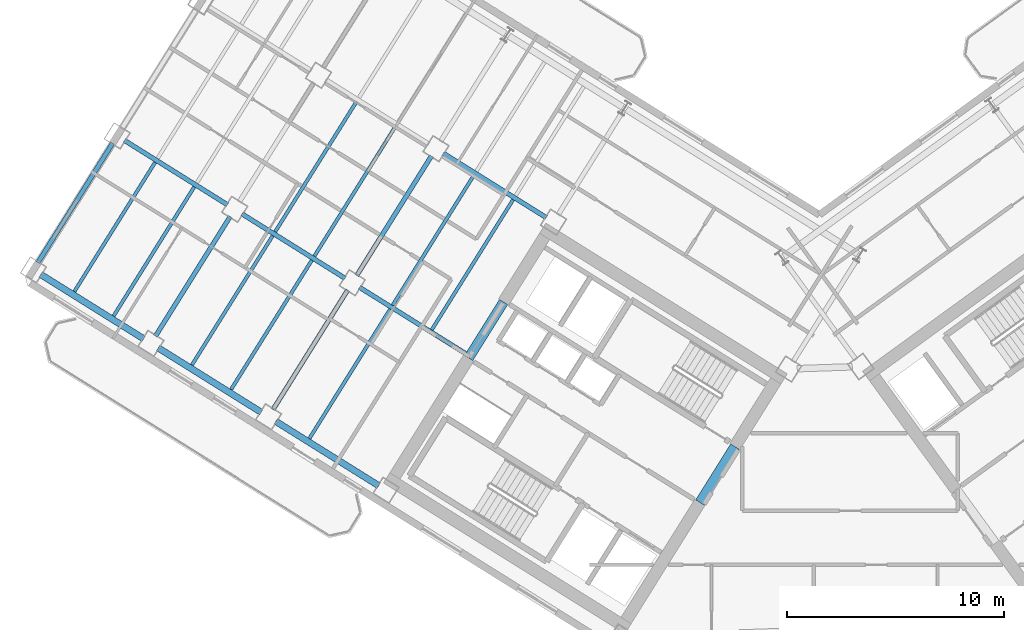
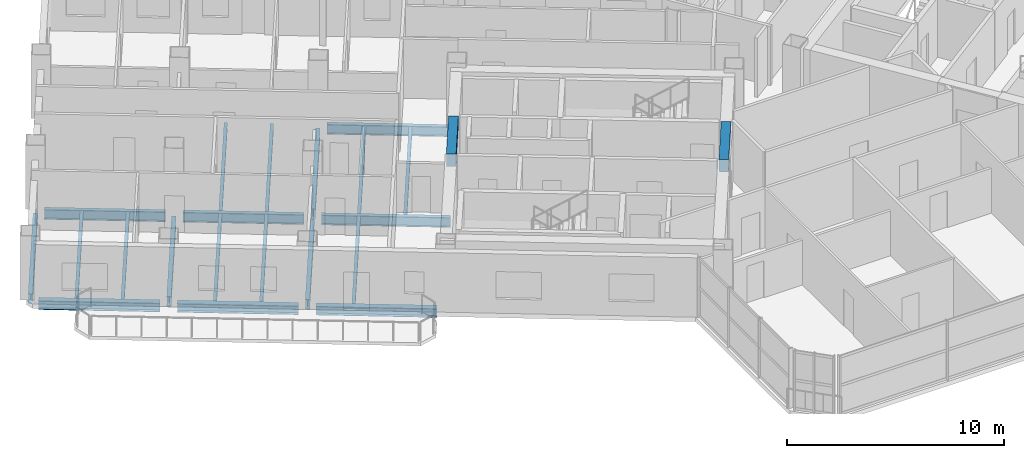
# One storey, part 5 of 20: 22 beams.
"""IFC4 building model written with IfcOpenShell, lengths in metres."""

from ifc_helpers import new_model, si_unit, direction, frame, origin, origin_2d, place, context, subcontext, project, spatial, rectangle, i_section, extrude, source, transform, mapped, material, material_profile, profile_set, type_object, element, save


model = new_model("IFC4")

# Units and contexts
model_context = context("Model", 3, precision=1e-05, world=origin(), true_north=direction((0.0, 1.0)))
body_context = subcontext(model_context, "Body", "Model", "MODEL_VIEW")
ifc_project = project(units=[si_unit("LENGTHUNIT", "METRE"), si_unit("AREAUNIT", "SQUARE_METRE"), si_unit("VOLUMEUNIT", "CUBIC_METRE"), si_unit("PLANEANGLEUNIT", "RADIAN"), si_unit("MASSUNIT", "GRAM", prefix="KILO")], contexts=[model_context])

# Site, building, storey
site_placement = place(None, origin())
site = spatial("IfcSite", under=ifc_project, at=site_placement, CompositionType="ELEMENT")
building_placement = place(site_placement, origin())
building = spatial("IfcBuilding", under=site, at=building_placement, Name="Tlacorven Tower", CompositionType="ELEMENT")
storey_placement = place(building_placement, frame((0.0, 0.0, 116.10009765625)))
storey = spatial("IfcBuildingStorey", under=building, at=storey_placement, Name="L29", CompositionType="ELEMENT", Elevation=116.10009765625)

# Beams
ifc_material_1 = material(Name="Concrete C60/75", Category="concrete")
ifc_material_profile_1 = material_profile(ifc_material_1, rectangle(XDim=0.449951171875, YDim=0.699951171875, at=origin_2d()), Name="RC 450X700")
ifc_profile_set_1 = profile_set([ifc_material_profile_1], Name="Concrete C60/75")
beam_type_1 = type_object("IfcBeamType", Name="BM-LNT-700", PredefinedType="LINTEL", material=ifc_profile_set_1)
shared_shape_1 = source(origin(), body_context, "Body", "SweptSolid", [
    extrude(rectangle(XDim=0.449951171875, YDim=0.699951171875, at=origin_2d()), origin(), (0.0, 0.0, 1.0), 3.050048828125),
])
beam_1_placement = place(storey_placement, frame((38.2998046875, 20.890625, 3.0), z_axis=(-0.529984549635, -0.848007297815, 0.0), x_axis=(0.848007297815, -0.529984549635, 0.0)))
element("IfcBeam", 1, at=beam_1_placement, inside=storey, type_object=beam_type_1, Name="L29 W core coupling lintel beam E1", PredefinedType="LINTEL", context=body_context, shape_type="MappedRepresentation", body=[
    mapped(shared_shape_1, transform((0.0, 0.0, 0.0), scale=1.0)),
])
shared_shape_2 = source(origin(), body_context, "Body", "SweptSolid", [
    extrude(rectangle(XDim=0.449951171875, YDim=0.699951171875, at=origin_2d()), origin(), (0.0, 0.0, 1.0), 3.0498046875),
])
beam_2_placement = place(storey_placement, frame((27.622802734375, 27.562255859375, 3.0), z_axis=(-0.529926983584, -0.848043272522, 0.0), x_axis=(0.848043272522, -0.529926983584, 0.0)))
element("IfcBeam", 2, at=beam_2_placement, inside=storey, type_object=beam_type_1, Name="L29 W core coupling lintel beam E2", PredefinedType="LINTEL", context=body_context, shape_type="MappedRepresentation", body=[
    mapped(shared_shape_2, transform((0.0, 0.0, 0.0), scale=1.0)),
])
ifc_material_2 = material(Name="Steel S355J2", Category="steel")
ifc_material_profile_2 = material_profile(ifc_material_2, i_section(OverallWidth=0.2099609375, OverallDepth=0.550048828125, WebThickness=0.010986328125, FlangeThickness=0.01708984375, at=origin_2d()), Name="IPE 550")
ifc_profile_set_2 = profile_set([ifc_material_profile_2], Name="Steel S355J2")
beam_type_2 = type_object("IfcBeamType", Name="BM-TWR-550", PredefinedType="BEAM", material=ifc_profile_set_2)
shared_shape_3 = source(origin(), body_context, "Body", "SweptSolid", [
    extrude(i_section(OverallWidth=0.2099609375, OverallDepth=0.550048828125, WebThickness=0.010986328125, FlangeThickness=0.01708984375, at=origin_2d()), origin(), (0.0, 0.0, 1.0), 5.599853515625),
])
for number, where, z_axis, x_axis, name in (
    (3, (29.588623046875, 31.46337890625, -0.525146484375), (-0.848047285686, 0.529920561254, 0.0), (-0.529920561254, -0.848047285686, 0.0), "L29 beam BM-L29-WL2-3"),
    (4, (20.292724609375, 28.6640625, -0.525146484375), (-0.848047285686, 0.529920561254, 0.0), (-0.529920561254, -0.848047285686, 0.0), "L29 beam BM-L29-WL3-4"),
):
    element("IfcBeam", number, at=place(storey_placement, frame(where, z_axis=z_axis, x_axis=x_axis)), inside=storey, type_object=beam_type_2, Name=name, PredefinedType="BEAM", context=body_context, shape_type="MappedRepresentation", body=[
        mapped(shared_shape_3, transform((0.0, 0.0, 0.0), scale=1.0)),
    ])
shared_shape_4 = source(origin(), body_context, "Body", "SweptSolid", [
    extrude(i_section(OverallWidth=0.2099609375, OverallDepth=0.550048828125, WebThickness=0.010986328125, FlangeThickness=0.01708984375, at=origin_2d()), origin(), (0.0, 0.0, 1.0), 5.960205078125),
])
beam_3_placement = place(storey_placement, frame((26.025634765625, 25.081787109375, -0.525146484375), z_axis=(-0.848042024898, 0.529928980153, 0.0), x_axis=(-0.529928980153, -0.848042024898, 0.0)))
element("IfcBeam", 5, at=beam_3_placement, inside=storey, type_object=beam_type_2, Name="L29 beam BM-L29-WL3-3", PredefinedType="BEAM", context=body_context, shape_type="MappedRepresentation", body=[
    mapped(shared_shape_4, transform((0.0, 0.0, 0.0), scale=1.0)),
])
shared_shape_5 = source(origin(), body_context, "Body", "SweptSolid", [
    extrude(i_section(OverallWidth=0.2099609375, OverallDepth=0.550048828125, WebThickness=0.010986328125, FlangeThickness=0.01708984375, at=origin_2d()), origin(), (0.0, 0.0, 1.0), 5.60009765625),
])
beam_4_placement = place(storey_placement, frame((14.865234375, 32.055419921875, -0.525146484375), z_axis=(-0.848027693204, 0.529951914384, 0.0), x_axis=(-0.529951914384, -0.848027693204, 0.0)))
element("IfcBeam", 6, at=beam_4_placement, inside=storey, type_object=beam_type_2, Name="L29 beam BM-L29-WL3-5", PredefinedType="BEAM", context=body_context, shape_type="MappedRepresentation", body=[
    mapped(shared_shape_5, transform((0.0, 0.0, 0.0), scale=1.0)),
])
ifc_material_profile_3 = material_profile(ifc_material_2, i_section(OverallWidth=0.300048828125, OverallDepth=0.489990234375, WebThickness=0.011962890625, FlangeThickness=0.02294921875, at=origin_2d()), Name="HEA 500")
ifc_profile_set_3 = profile_set([ifc_material_profile_3], Name="Steel S355J2")
beam_type_3 = type_object("IfcBeamType", Name="BM-SPN-500", PredefinedType="SPANDREL", material=ifc_profile_set_3)
shared_shape_6 = source(origin(), body_context, "Body", "SweptSolid", [
    extrude(i_section(OverallWidth=0.300048828125, OverallDepth=0.489990234375, WebThickness=0.011962890625, FlangeThickness=0.02294921875, at=origin_2d()), origin(), (0.0, 0.0, 1.0), 5.599853515625),
])
for number, where, z_axis, x_axis, name in (
    (7, (21.851806640625, 19.081787109375, -0.4951171875), (-0.848047285686, 0.529920561254, 0.0), (-0.529920561254, -0.848047285686, 0.0), "L29 beam BM-L29-WL4-3"),
    (8, (16.42431640625, 22.473388671875, -0.4951171875), (-0.848047285686, 0.529920561254, 0.0), (-0.529920561254, -0.848047285686, 0.0), "L29 beam BM-L29-WL4-4"),
    (9, (10.996826171875, 25.86474609375, -0.4951171875), (-0.848047285686, 0.529920561254, 0.0), (-0.529920561254, -0.848047285686, 0.0), "L29 beam BM-L29-WL4-5"),
):
    element("IfcBeam", number, at=place(storey_placement, frame(where, z_axis=z_axis, x_axis=x_axis)), inside=storey, type_object=beam_type_3, Name=name, PredefinedType="SPANDREL", context=body_context, shape_type="MappedRepresentation", body=[
        mapped(shared_shape_6, transform((0.0, 0.0, 0.0), scale=1.0)),
    ])
shared_shape_7 = source(origin(), body_context, "Body", "SweptSolid", [
    extrude(i_section(OverallWidth=0.2099609375, OverallDepth=0.550048828125, WebThickness=0.010986328125, FlangeThickness=0.01708984375, at=origin_2d()), origin(), (0.0, 0.0, 1.0), 6.500244140625),
])
beam_5_placement = place(storey_placement, frame((24.28857421875, 34.3037109375, -0.525146484375), z_axis=(-0.529921287515, -0.848046831866, 0.0), x_axis=(0.848046831866, -0.529921287515, 0.0)))
element("IfcBeam", 10, at=beam_5_placement, inside=storey, type_object=beam_type_2, Name="L29 beam BM-L29-WT4-2", PredefinedType="BEAM", context=body_context, shape_type="MappedRepresentation", body=[
    mapped(shared_shape_7, transform((0.0, 0.0, 0.0), scale=1.0)),
])
shared_shape_8 = source(origin(), body_context, "Body", "SweptSolid", [
    extrude(i_section(OverallWidth=0.2099609375, OverallDepth=0.550048828125, WebThickness=0.010986328125, FlangeThickness=0.01708984375, at=origin_2d()), origin(), (0.0, 0.0, 1.0), 6.5),
])
for number, where, z_axis, x_axis, name in (
    (11, (20.420166015625, 28.11279296875, -0.525146484375), (-0.529938166933, -0.848036284146, 0.0), (0.848036284146, -0.529938166933, 0.0), "L29 beam BM-L29-WT4-3"),
    (12, (14.992431640625, 31.50439453125, -0.525146484375), (-0.529894274829, -0.848063710757, 0.0), (0.848063710757, -0.529894274829, 0.0), "L29 beam BM-L29-WT5-3"),
):
    element("IfcBeam", number, at=place(storey_placement, frame(where, z_axis=z_axis, x_axis=x_axis)), inside=storey, type_object=beam_type_2, Name=name, PredefinedType="BEAM", context=body_context, shape_type="MappedRepresentation", body=[
        mapped(shared_shape_8, transform((0.0, 0.0, 0.0), scale=1.0)),
    ])
shared_shape_9 = source(origin(), body_context, "Body", "SweptSolid", [
    extrude(i_section(OverallWidth=0.2099609375, OverallDepth=0.550048828125, WebThickness=0.010986328125, FlangeThickness=0.01708984375, at=origin_2d()), origin(), (0.0, 0.0, 1.0), 6.499755859375),
])
beam_6_placement = place(storey_placement, frame((9.56494140625, 34.895751953125, -0.525146484375), z_axis=(-0.529911154058, -0.848053163902, 0.0), x_axis=(0.848053163902, -0.529911154058, 0.0)))
element("IfcBeam", 13, at=beam_6_placement, inside=storey, type_object=beam_type_2, Name="L29 beam BM-L29-WT6-3", PredefinedType="BEAM", context=body_context, shape_type="MappedRepresentation", body=[
    mapped(shared_shape_9, transform((0.0, 0.0, 0.0), scale=1.0)),
])
ifc_material_profile_4 = material_profile(ifc_material_2, i_section(OverallWidth=0.159912109375, OverallDepth=0.330078125, WebThickness=0.007568359375, FlangeThickness=0.011474609375, at=origin_2d()), Name="IPE 330")
ifc_profile_set_4 = profile_set([ifc_material_profile_4], Name="Steel S355J2")
beam_type_4 = type_object("IfcBeamType", Name="BM-JST-330", PredefinedType="JOIST", material=ifc_profile_set_4)
shared_shape_10 = source(origin(), body_context, "Body", "SweptSolid", [
    extrude(i_section(OverallWidth=0.159912109375, OverallDepth=0.330078125, WebThickness=0.007568359375, FlangeThickness=0.011474609375, at=origin_2d()), origin(), (0.0, 0.0, 1.0), 7.080078125),
])
for number, where, z_axis, x_axis, name in (
    (14, (28.060546875, 32.28857421875, -0.4150390625), (-0.529933847046, -0.848038983629, 0.0), (0.848038983629, -0.529933847046, 0.0), "L29 beam BM-L29-WJ3-2-1"),
    (15, (26.251220703125, 33.419189453125, -0.4150390625), (-0.529893550998, -0.848064163027, 0.0), (0.848064163027, -0.529893550998, 0.0), "L29 beam BM-L29-WJ3-2-2"),
    (16, (22.633056640625, 35.679931640625, -0.4150390625), (-0.529933847046, -0.848038983629, 0.0), (0.848038983629, -0.529933847046, 0.0), "L29 beam BM-L29-WJ4-2-1"),
):
    element("IfcBeam", number, at=place(storey_placement, frame(where, z_axis=z_axis, x_axis=x_axis)), inside=storey, type_object=beam_type_4, Name=name, PredefinedType="JOIST", context=body_context, shape_type="MappedRepresentation", body=[
        mapped(shared_shape_10, transform((0.0, 0.0, 0.0), scale=1.0)),
    ])
shared_shape_11 = source(origin(), body_context, "Body", "SweptSolid", [
    extrude(i_section(OverallWidth=0.159912109375, OverallDepth=0.330078125, WebThickness=0.007568359375, FlangeThickness=0.011474609375, at=origin_2d()), origin(), (0.0, 0.0, 1.0), 7.03515625),
])
for number, where, z_axis, x_axis, name in (
    (17, (22.3828125, 27.228271484375, -0.4150390625), (-0.529920952588, -0.848047041153, 0.0), (0.848047041153, -0.529920952588, 0.0), "L29 beam BM-L29-WJ3-3-2"),
    (18, (18.7646484375, 29.4892578125, -0.4150390625), (-0.529920952588, -0.848047041153, 0.0), (0.848047041153, -0.529920952588, 0.0), "L29 beam BM-L29-WJ4-3-1"),
    (19, (16.955322265625, 30.619873046875, -0.4150390625), (-0.529920952588, -0.848047041153, 0.0), (0.848047041153, -0.529920952588, 0.0), "L29 beam BM-L29-WJ4-3-2"),
    (20, (13.337158203125, 32.880859375, -0.4150390625), (-0.529920952588, -0.848047041153, 0.0), (0.848047041153, -0.529920952588, 0.0), "L29 beam BM-L29-WJ5-3-1"),
    (21, (11.52783203125, 34.01123046875, -0.4150390625), (-0.529920952588, -0.848047041153, 0.0), (0.848047041153, -0.529920952588, 0.0), "L29 beam BM-L29-WJ5-3-2"),
):
    element("IfcBeam", number, at=place(storey_placement, frame(where, z_axis=z_axis, x_axis=x_axis)), inside=storey, type_object=beam_type_4, Name=name, PredefinedType="JOIST", context=body_context, shape_type="MappedRepresentation", body=[
        mapped(shared_shape_11, transform((0.0, 0.0, 0.0), scale=1.0)),
    ])
shared_shape_12 = source(origin(), body_context, "Body", "SweptSolid", [
    extrude(i_section(OverallWidth=0.159912109375, OverallDepth=0.330078125, WebThickness=0.007568359375, FlangeThickness=0.011474609375, at=origin_2d()), origin(), (0.0, 0.0, 1.0), 7.079833984375),
])
beam_7_placement = place(storey_placement, frame((20.82373046875, 36.810546875, -0.4150390625), z_axis=(-0.529909047265, -0.848054480341, 0.0), x_axis=(0.848054480341, -0.529909047265, 0.0)))
element("IfcBeam", 22, at=beam_7_placement, inside=storey, type_object=beam_type_4, Name="L29 beam BM-L29-WJ4-2-2", PredefinedType="JOIST", context=body_context, shape_type="MappedRepresentation", body=[
    mapped(shared_shape_12, transform((0.0, 0.0, 0.0), scale=1.0)),
])

save(model, "model.ifc")
